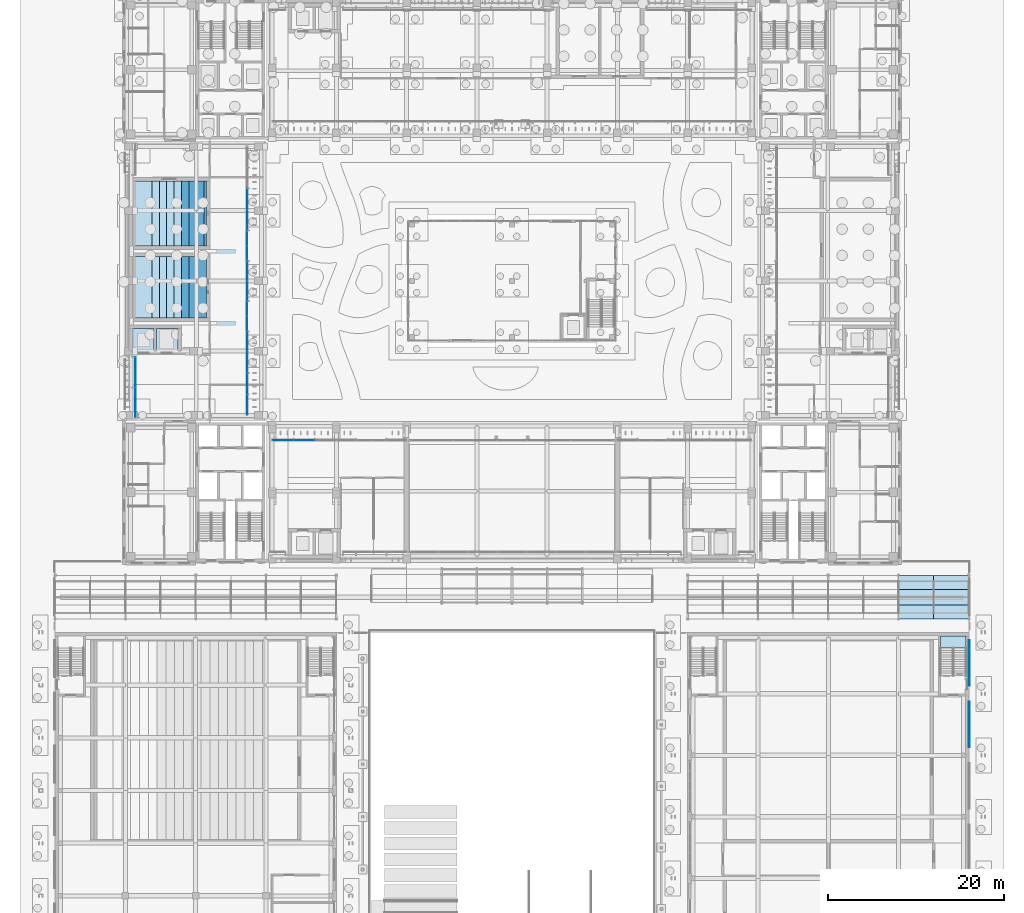
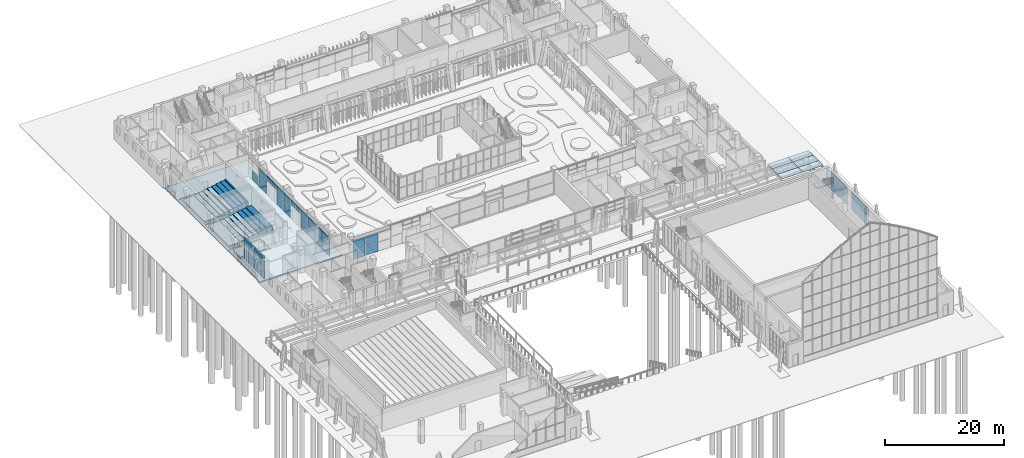
# One storey, part 95 of 144: 35 plates, 27 slabs, 8 elements without a shape of their own.
"""IFC4 building model written with IfcOpenShell, lengths in metres."""

from ifc_helpers import new_model, si_unit, direction, frame, origin, origin_2d, place, context, subcontext, project, spatial, polyline, rectangle, outline, extrude, material, layer, layer_set, type_object, element, aggregate, save


model = new_model("IFC4")

# Units and contexts
model_context = context("Model", 3, precision=1e-05, world=origin(), true_north=direction((0.0, 1.0)))
body_context = subcontext(model_context, "Body", "Model", "MODEL_VIEW")
ifc_project = project(units=[si_unit("LENGTHUNIT", "METRE"), si_unit("AREAUNIT", "SQUARE_METRE"), si_unit("VOLUMEUNIT", "CUBIC_METRE"), si_unit("PLANEANGLEUNIT", "RADIAN"), si_unit("MASSUNIT", "GRAM", prefix="KILO")], contexts=[model_context])

# Site, building, storey
site_placement = place(None, origin())
site = spatial("IfcSite", under=ifc_project, at=site_placement, CompositionType="ELEMENT")
building_placement = place(site_placement, origin())
building = spatial("IfcBuilding", under=site, at=building_placement, Name="Lantern Court Media Centre", CompositionType="ELEMENT")
storey_placement = place(building_placement, origin())
storey = spatial("IfcBuildingStorey", under=building, at=storey_placement, Name="L00", CompositionType="ELEMENT", Elevation=0.0)

# Slabs
ifc_material_1 = material(Name="Zinc standing seam on insulation")
ifc_layer_1 = layer(ifc_material_1, 0.080078125)
ifc_layer_set_1 = layer_set([ifc_layer_1], Name="Zinc standing seam on insulation")
slab_type_1 = type_object("IfcSlabType", Name="Cloister roof panel, standing seam 80", PredefinedType="ROOF", material=ifc_layer_set_1)
slab_1_placement = place(storey_placement, frame((96.00244140625, 41.5, 3.9599609375), z_axis=(0.0, 0.0, 1.0), x_axis=(1.0, 0.0, 0.0)))
element("IfcSlab", 1, at=slab_1_placement, inside=storey, type_object=slab_type_1, Name="Cloister roof panel", PredefinedType="ROOF", context=body_context, shape_type="SweptSolid", body=[
    extrude(outline(polyline([(0.0, 0.0), (3.9951171875, 0.0), (3.9951171875, 1.60009765625), (0.0, 1.60009765625), (0.0, 0.0)])), origin(), (0.0, 0.0, -1.0), 0.080078125),
])
slab_2_placement = place(storey_placement, frame((96.00244140625, 43.10009765625, 3.9599609375), z_axis=(0.0, 0.0, 1.0), x_axis=(1.0, 0.0, 0.0)))
element("IfcSlab", 2, at=slab_2_placement, inside=storey, type_object=slab_type_1, Name="Cloister roof panel", PredefinedType="ROOF", context=body_context, shape_type="SweptSolid", body=[
    extrude(outline(polyline([(0.0, 0.0), (3.9951171875, 0.0), (3.9951171875, 1.7998046875), (0.0, 1.7998046875), (0.0, 0.0)])), origin(), (0.0, 0.0, -1.0), 0.080078125),
])
for number, where, z_axis, x_axis, name in (
    (3, (96.00244140625, 44.89990234375, 3.9599609375), (0.0, 0.0, 1.0), (1.0, 0.0, 0.0), "Cloister roof panel"),
    (4, (100.00244140625, 41.5, 3.9599609375), (0.0, 0.0, 1.0), (1.0, 0.0, 0.0), "Cloister roof panel"),
):
    element("IfcSlab", number, at=place(storey_placement, frame(where, z_axis=z_axis, x_axis=x_axis)), inside=storey, type_object=slab_type_1, Name=name, PredefinedType="ROOF", context=body_context, shape_type="SweptSolid", body=[
        extrude(outline(polyline([(0.0, 0.0), (3.9951171875, 0.0), (3.9951171875, 1.60009765625), (0.0, 1.60009765625), (0.0, 0.0)])), origin(), (0.0, 0.0, -1.0), 0.080078125),
    ])
slab_3_placement = place(storey_placement, frame((100.00244140625, 43.10009765625, 3.9599609375), z_axis=(0.0, 0.0, 1.0), x_axis=(1.0, 0.0, 0.0)))
element("IfcSlab", 5, at=slab_3_placement, inside=storey, type_object=slab_type_1, Name="Cloister roof panel", PredefinedType="ROOF", context=body_context, shape_type="SweptSolid", body=[
    extrude(outline(polyline([(0.0, 0.0), (3.9951171875, 0.0), (3.9951171875, 1.7998046875), (0.0, 1.7998046875), (0.0, 0.0)])), origin(), (0.0, 0.0, -1.0), 0.080078125),
])
slab_4_placement = place(storey_placement, frame((100.00244140625, 44.89990234375, 3.9599609375), z_axis=(0.0, 0.0, 1.0), x_axis=(1.0, 0.0, 0.0)))
element("IfcSlab", 6, at=slab_4_placement, inside=storey, type_object=slab_type_1, Name="Cloister roof panel", PredefinedType="ROOF", context=body_context, shape_type="SweptSolid", body=[
    extrude(outline(polyline([(0.0, 0.0), (3.9951171875, 0.0), (3.9951171875, 1.60009765625), (0.0, 1.60009765625), (0.0, 0.0)])), origin(), (0.0, 0.0, -1.0), 0.080078125),
])

# Curtain wall, plates
ifc_material_2 = material(Name="Curtain wall bay 2400")
curtain_wall_type_1 = type_object("IfcCurtainWallType", Name="Curtain wall bay 2400", PredefinedType="NOTDEFINED", material=ifc_material_2)
curtain_wall_1_placement = place(storey_placement, origin())
curtain_wall_1 = element("IfcCurtainWall", 7, at=curtain_wall_1_placement, inside=storey, type_object=curtain_wall_type_1, Name="Curtain wall S inner L00", PredefinedType="NOTDEFINED")
ifc_material_3 = material(Name="Low-iron double glazed unit glass", Category="glass")
ifc_layer_2 = layer(ifc_material_3, 0.02392578125)
ifc_layer_set_2 = layer_set([ifc_layer_2], Name="Low-iron double glazed unit glass")
plate_type_1 = type_object("IfcPlateType", Name="Curtain wall glazing unit 24", PredefinedType="CURTAIN_PANEL", material=ifc_layer_set_2)
plate_1_placement = place(storey_placement, frame((25.92919921875, 61.85009765625, 0.050048828125), z_axis=(0.0, 0.0, 1.0), x_axis=(1.0, 0.0, 0.0)))
plate_1 = element("IfcPlate", 8, at=plate_1_placement, type_object=plate_type_1, Name="CW2 panel 1.1", PredefinedType="CURTAIN_PANEL", context=body_context, shape_type="SweptSolid", body=[
    extrude(rectangle(XDim=2.3583984375, YDim=0.02392578125, at=origin_2d()), origin(), (0.0, 0.0, 1.0), 1.89990234375),
])
plate_2_placement = place(storey_placement, frame((25.92919921875, 61.85009765625, 2.0), z_axis=(0.0, 0.0, 1.0), x_axis=(1.0, 0.0, 0.0)))
plate_2 = element("IfcPlate", 9, at=plate_2_placement, type_object=plate_type_1, Name="CW2 panel 1.2", PredefinedType="CURTAIN_PANEL", context=body_context, shape_type="SweptSolid", body=[
    extrude(rectangle(XDim=2.3583984375, YDim=0.02392578125, at=origin_2d()), origin(), (0.0, 0.0, 1.0), 1.89990234375),
])
plate_3_placement = place(storey_placement, frame((28.35009765625, 61.85009765625, 0.050048828125), z_axis=(0.0, 0.0, 1.0), x_axis=(1.0, 0.0, 0.0)))
plate_3 = element("IfcPlate", 10, at=plate_3_placement, type_object=plate_type_1, Name="CW2 panel 2.1", PredefinedType="CURTAIN_PANEL", context=body_context, shape_type="SweptSolid", body=[
    extrude(rectangle(XDim=2.38330078125, YDim=0.02392578125, at=origin_2d()), origin(), (0.0, 0.0, 1.0), 1.89990234375),
])
plate_4_placement = place(storey_placement, frame((28.35009765625, 61.85009765625, 2.0), z_axis=(0.0, 0.0, 1.0), x_axis=(1.0, 0.0, 0.0)))
plate_4 = element("IfcPlate", 11, at=plate_4_placement, type_object=plate_type_1, Name="CW2 panel 2.2", PredefinedType="CURTAIN_PANEL", context=body_context, shape_type="SweptSolid", body=[
    extrude(rectangle(XDim=2.38330078125, YDim=0.02392578125, at=origin_2d()), origin(), (0.0, 0.0, 1.0), 1.89990234375),
])
aggregate(curtain_wall_1, [plate_1, plate_2, plate_3, plate_4])

curtain_wall_2_placement = place(storey_placement, origin())
curtain_wall_2 = element("IfcCurtainWall", 12, at=curtain_wall_2_placement, inside=storey, type_object=curtain_wall_type_1, Name="Curtain wall W inner L00", PredefinedType="NOTDEFINED")
plate_5_placement = place(storey_placement, frame((21.85009765625, 65.91259765625, 0.050048828125), z_axis=(0.0, 0.0, 1.0), x_axis=(0.0, 1.0, 0.0)))
plate_5 = element("IfcPlate", 13, at=plate_5_placement, type_object=plate_type_1, Name="CW2 panel 1.1", PredefinedType="CURTAIN_PANEL", context=body_context, shape_type="SweptSolid", body=[
    extrude(rectangle(XDim=2.324951171875, YDim=0.02392578125, at=origin_2d()), origin(), (0.0, 0.0, 1.0), 1.89990234375),
])
plate_6_placement = place(storey_placement, frame((21.85009765625, 65.91259765625, 2.0), z_axis=(0.0, 0.0, 1.0), x_axis=(0.0, 1.0, 0.0)))
plate_6 = element("IfcPlate", 14, at=plate_6_placement, type_object=plate_type_1, Name="CW2 panel 1.2", PredefinedType="CURTAIN_PANEL", context=body_context, shape_type="SweptSolid", body=[
    extrude(rectangle(XDim=2.324951171875, YDim=0.02392578125, at=origin_2d()), origin(), (0.0, 0.0, 1.0), 1.89990234375),
])
plate_7_placement = place(storey_placement, frame((21.85009765625, 68.300048828125, 0.050048828125), z_axis=(0.0, 0.0, 1.0), x_axis=(0.0, 1.0, 0.0)))
plate_7 = element("IfcPlate", 15, at=plate_7_placement, type_object=plate_type_1, Name="CW2 panel 2.1", PredefinedType="CURTAIN_PANEL", context=body_context, shape_type="SweptSolid", body=[
    extrude(rectangle(XDim=2.35009765625, YDim=0.02392578125, at=origin_2d()), origin(), (0.0, 0.0, 1.0), 1.89990234375),
])
plate_8_placement = place(storey_placement, frame((21.85009765625, 68.300048828125, 2.0), z_axis=(0.0, 0.0, 1.0), x_axis=(0.0, 1.0, 0.0)))
plate_8 = element("IfcPlate", 16, at=plate_8_placement, type_object=plate_type_1, Name="CW2 panel 2.2", PredefinedType="CURTAIN_PANEL", context=body_context, shape_type="SweptSolid", body=[
    extrude(rectangle(XDim=2.35009765625, YDim=0.02392578125, at=origin_2d()), origin(), (0.0, 0.0, 1.0), 1.89990234375),
])
plate_9_placement = place(storey_placement, frame((21.85009765625, 70.699951171875, 0.050048828125), z_axis=(0.0, 0.0, 1.0), x_axis=(0.0, 1.0, 0.0)))
plate_9 = element("IfcPlate", 17, at=plate_9_placement, type_object=plate_type_1, Name="CW2 panel 3.1", PredefinedType="CURTAIN_PANEL", context=body_context, shape_type="SweptSolid", body=[
    extrude(rectangle(XDim=2.35009765625, YDim=0.02392578125, at=origin_2d()), origin(), (0.0, 0.0, 1.0), 1.89990234375),
])
plate_10_placement = place(storey_placement, frame((21.85009765625, 70.699951171875, 2.0), z_axis=(0.0, 0.0, 1.0), x_axis=(0.0, 1.0, 0.0)))
plate_10 = element("IfcPlate", 18, at=plate_10_placement, type_object=plate_type_1, Name="CW2 panel 3.2", PredefinedType="CURTAIN_PANEL", context=body_context, shape_type="SweptSolid", body=[
    extrude(rectangle(XDim=2.35009765625, YDim=0.02392578125, at=origin_2d()), origin(), (0.0, 0.0, 1.0), 1.89990234375),
])
plate_11_placement = place(storey_placement, frame((21.85009765625, 73.08740234375, 0.050048828125), z_axis=(0.0, 0.0, 1.0), x_axis=(0.0, 1.0, 0.0)))
plate_11 = element("IfcPlate", 19, at=plate_11_placement, type_object=plate_type_1, Name="CW2 panel 4.1", PredefinedType="CURTAIN_PANEL", context=body_context, shape_type="SweptSolid", body=[
    extrude(rectangle(XDim=2.324951171875, YDim=0.02392578125, at=origin_2d()), origin(), (0.0, 0.0, 1.0), 1.89990234375),
])
plate_12_placement = place(storey_placement, frame((21.85009765625, 73.08740234375, 2.0), z_axis=(0.0, 0.0, 1.0), x_axis=(0.0, 1.0, 0.0)))
plate_12 = element("IfcPlate", 20, at=plate_12_placement, type_object=plate_type_1, Name="CW2 panel 4.2", PredefinedType="CURTAIN_PANEL", context=body_context, shape_type="SweptSolid", body=[
    extrude(rectangle(XDim=2.324951171875, YDim=0.02392578125, at=origin_2d()), origin(), (0.0, 0.0, 1.0), 1.89990234375),
])
aggregate(curtain_wall_2, [plate_5, plate_6, plate_7, plate_8, plate_9, plate_10, plate_11, plate_12])

curtain_wall_3_placement = place(storey_placement, origin())
curtain_wall_3 = element("IfcCurtainWall", 21, at=curtain_wall_3_placement, inside=storey, type_object=curtain_wall_type_1, Name="Curtain wall W inner L00", PredefinedType="NOTDEFINED")
plate_13_placement = place(storey_placement, frame((21.85009765625, 78.862548828125, 0.050048828125), z_axis=(0.0, 0.0, 1.0), x_axis=(0.0, 1.0, 0.0)))
plate_13 = element("IfcPlate", 22, at=plate_13_placement, type_object=plate_type_1, Name="CW2 panel 1.1", PredefinedType="CURTAIN_PANEL", context=body_context, shape_type="SweptSolid", body=[
    extrude(rectangle(XDim=2.22509765625, YDim=0.02392578125, at=origin_2d()), origin(), (0.0, 0.0, 1.0), 1.89990234375),
])
plate_14_placement = place(storey_placement, frame((21.85009765625, 78.862548828125, 2.0), z_axis=(0.0, 0.0, 1.0), x_axis=(0.0, 1.0, 0.0)))
plate_14 = element("IfcPlate", 23, at=plate_14_placement, type_object=plate_type_1, Name="CW2 panel 1.2", PredefinedType="CURTAIN_PANEL", context=body_context, shape_type="SweptSolid", body=[
    extrude(rectangle(XDim=2.22509765625, YDim=0.02392578125, at=origin_2d()), origin(), (0.0, 0.0, 1.0), 1.89990234375),
])
plate_15_placement = place(storey_placement, frame((21.85009765625, 81.137451171875, 0.050048828125), z_axis=(0.0, 0.0, 1.0), x_axis=(0.0, 1.0, 0.0)))
plate_15 = element("IfcPlate", 24, at=plate_15_placement, type_object=plate_type_1, Name="CW2 panel 2.1", PredefinedType="CURTAIN_PANEL", context=body_context, shape_type="SweptSolid", body=[
    extrude(rectangle(XDim=2.22509765625, YDim=0.02392578125, at=origin_2d()), origin(), (0.0, 0.0, 1.0), 1.89990234375),
])
plate_16_placement = place(storey_placement, frame((21.85009765625, 81.137451171875, 2.0), z_axis=(0.0, 0.0, 1.0), x_axis=(0.0, 1.0, 0.0)))
plate_16 = element("IfcPlate", 25, at=plate_16_placement, type_object=plate_type_1, Name="CW2 panel 2.2", PredefinedType="CURTAIN_PANEL", context=body_context, shape_type="SweptSolid", body=[
    extrude(rectangle(XDim=2.22509765625, YDim=0.02392578125, at=origin_2d()), origin(), (0.0, 0.0, 1.0), 1.89990234375),
])
aggregate(curtain_wall_3, [plate_13, plate_14, plate_15, plate_16])

curtain_wall_4_placement = place(storey_placement, origin())
curtain_wall_4 = element("IfcCurtainWall", 26, at=curtain_wall_4_placement, inside=storey, type_object=curtain_wall_type_1, Name="Curtain wall W inner L00", PredefinedType="NOTDEFINED")
plate_17_placement = place(storey_placement, frame((21.85009765625, 86.91259765625, 0.050048828125), z_axis=(0.0, 0.0, 1.0), x_axis=(0.0, 1.0, 0.0)))
plate_17 = element("IfcPlate", 27, at=plate_17_placement, type_object=plate_type_1, Name="CW2 panel 1.1", PredefinedType="CURTAIN_PANEL", context=body_context, shape_type="SweptSolid", body=[
    extrude(rectangle(XDim=2.324951171875, YDim=0.02392578125, at=origin_2d()), origin(), (0.0, 0.0, 1.0), 1.89990234375),
])
plate_18_placement = place(storey_placement, frame((21.85009765625, 86.91259765625, 2.0), z_axis=(0.0, 0.0, 1.0), x_axis=(0.0, 1.0, 0.0)))
plate_18 = element("IfcPlate", 28, at=plate_18_placement, type_object=plate_type_1, Name="CW2 panel 1.2", PredefinedType="CURTAIN_PANEL", context=body_context, shape_type="SweptSolid", body=[
    extrude(rectangle(XDim=2.324951171875, YDim=0.02392578125, at=origin_2d()), origin(), (0.0, 0.0, 1.0), 1.89990234375),
])
plate_19_placement = place(storey_placement, frame((21.85009765625, 89.300048828125, 0.050048828125), z_axis=(0.0, 0.0, 1.0), x_axis=(0.0, 1.0, 0.0)))
plate_19 = element("IfcPlate", 29, at=plate_19_placement, type_object=plate_type_1, Name="CW2 panel 2.1", PredefinedType="CURTAIN_PANEL", context=body_context, shape_type="SweptSolid", body=[
    extrude(rectangle(XDim=2.35009765625, YDim=0.02392578125, at=origin_2d()), origin(), (0.0, 0.0, 1.0), 1.89990234375),
])
aggregate(curtain_wall_4, [plate_17, plate_18, plate_19])

ifc_material_4 = material(Name="Curtain wall bay 3000")
curtain_wall_type_2 = type_object("IfcCurtainWallType", Name="Curtain wall bay 3000", PredefinedType="NOTDEFINED", material=ifc_material_4)
curtain_wall_5_placement = place(storey_placement, origin())
curtain_wall_5 = element("IfcCurtainWall", 30, at=curtain_wall_5_placement, inside=storey, type_object=curtain_wall_type_2, Name="Curtain wall W outer L00", PredefinedType="NOTDEFINED")
ifc_layer_3 = layer(ifc_material_3, 0.028076171875)
ifc_layer_set_3 = layer_set([ifc_layer_3], Name="Low-iron double glazed unit glass")
plate_type_2 = type_object("IfcPlateType", Name="Curtain wall glazing unit 28", PredefinedType="CURTAIN_PANEL", material=ifc_layer_set_3)
plate_20_placement = place(storey_placement, frame((9.14990234375, 66.16748046875, 0.06005859375), z_axis=(0.0, 0.0, 1.0), x_axis=(0.0, 1.0, 0.0)))
plate_20 = element("IfcPlate", 31, at=plate_20_placement, type_object=plate_type_2, Name="CW1 panel 1.1", PredefinedType="CURTAIN_PANEL", context=body_context, shape_type="SweptSolid", body=[
    extrude(rectangle(XDim=3.375, YDim=0.028076171875, at=origin_2d()), origin(), (0.0, 0.0, 1.0), 2.199951171875),
])
plate_21_placement = place(storey_placement, frame((9.14990234375, 66.16748046875, 2.31982421875), z_axis=(0.0, 0.0, 1.0), x_axis=(0.0, 1.0, 0.0)))
plate_21 = element("IfcPlate", 32, at=plate_21_placement, type_object=plate_type_2, Name="CW1 panel 1.2", PredefinedType="CURTAIN_PANEL", context=body_context, shape_type="SweptSolid", body=[
    extrude(rectangle(XDim=3.375, YDim=0.028076171875, at=origin_2d()), origin(), (0.0, 0.0, 1.0), 2.199951171875),
])
plate_22_placement = place(storey_placement, frame((9.14990234375, 69.6025390625, 0.06005859375), z_axis=(0.0, 0.0, 1.0), x_axis=(0.0, 1.0, 0.0)))
plate_22 = element("IfcPlate", 33, at=plate_22_placement, type_object=plate_type_2, Name="CW1 panel 2.1", PredefinedType="CURTAIN_PANEL", context=body_context, shape_type="SweptSolid", body=[
    extrude(rectangle(XDim=3.375, YDim=0.028076171875, at=origin_2d()), origin(), (0.0, 0.0, 1.0), 2.199951171875),
])
plate_23_placement = place(storey_placement, frame((9.14990234375, 69.6025390625, 2.31982421875), z_axis=(0.0, 0.0, 1.0), x_axis=(0.0, 1.0, 0.0)))
plate_23 = element("IfcPlate", 34, at=plate_23_placement, type_object=plate_type_2, Name="CW1 panel 2.2", PredefinedType="CURTAIN_PANEL", context=body_context, shape_type="SweptSolid", body=[
    extrude(rectangle(XDim=3.375, YDim=0.028076171875, at=origin_2d()), origin(), (0.0, 0.0, 1.0), 2.199951171875),
])
aggregate(curtain_wall_5, [plate_20, plate_21, plate_22, plate_23])

ifc_material_5 = material(Name="Curtain wall bay 1700")
curtain_wall_type_3 = type_object("IfcCurtainWallType", Name="Curtain wall bay 1700", PredefinedType="NOTDEFINED", material=ifc_material_5)
curtain_wall_6_placement = place(storey_placement, origin())
curtain_wall_6 = element("IfcCurtainWall", 35, at=curtain_wall_6_placement, inside=storey, type_object=curtain_wall_type_3, Name="Curtain wall W inner L00", PredefinedType="NOTDEFINED")
plate_24_placement = place(storey_placement, frame((21.85009765625, 75.1650390625, 2.85986328125), z_axis=(0.0, 0.0, 1.0), x_axis=(0.0, 1.0, 0.0)))
plate_24 = element("IfcPlate", 36, at=plate_24_placement, type_object=plate_type_2, Name="CW4 panel 1.1", PredefinedType="CURTAIN_PANEL", context=body_context, shape_type="SweptSolid", body=[
    extrude(rectangle(XDim=1.610107421875, YDim=0.028076171875, at=origin_2d()), origin(), (0.0, 0.0, 1.0), 0.485107421875),
])
plate_25_placement = place(storey_placement, frame((21.85009765625, 75.1650390625, 3.40478515625), z_axis=(0.0, 0.0, 1.0), x_axis=(0.0, 1.0, 0.0)))
plate_25 = element("IfcPlate", 37, at=plate_25_placement, type_object=plate_type_2, Name="CW4 panel 1.2", PredefinedType="CURTAIN_PANEL", context=body_context, shape_type="SweptSolid", body=[
    extrude(rectangle(XDim=1.610107421875, YDim=0.028076171875, at=origin_2d()), origin(), (0.0, 0.0, 1.0), 0.485107421875),
])
plate_26_placement = place(storey_placement, frame((21.85009765625, 76.8349609375, 2.85986328125), z_axis=(0.0, 0.0, 1.0), x_axis=(0.0, 1.0, 0.0)))
plate_26 = element("IfcPlate", 38, at=plate_26_placement, type_object=plate_type_2, Name="CW4 panel 2.1", PredefinedType="CURTAIN_PANEL", context=body_context, shape_type="SweptSolid", body=[
    extrude(rectangle(XDim=1.610107421875, YDim=0.028076171875, at=origin_2d()), origin(), (0.0, 0.0, 1.0), 0.485107421875),
])
plate_27_placement = place(storey_placement, frame((21.85009765625, 76.8349609375, 3.40478515625), z_axis=(0.0, 0.0, 1.0), x_axis=(0.0, 1.0, 0.0)))
plate_27 = element("IfcPlate", 39, at=plate_27_placement, type_object=plate_type_2, Name="CW4 panel 2.2", PredefinedType="CURTAIN_PANEL", context=body_context, shape_type="SweptSolid", body=[
    extrude(rectangle(XDim=1.610107421875, YDim=0.028076171875, at=origin_2d()), origin(), (0.0, 0.0, 1.0), 0.485107421875),
])
aggregate(curtain_wall_6, [plate_24, plate_25, plate_26, plate_27])

curtain_wall_7_placement = place(storey_placement, origin())
curtain_wall_7 = element("IfcCurtainWall", 40, at=curtain_wall_7_placement, inside=storey, type_object=curtain_wall_type_3, Name="Curtain wall W inner L00", PredefinedType="NOTDEFINED")
plate_28_placement = place(storey_placement, frame((21.85009765625, 83.1650390625, 2.85986328125), z_axis=(0.0, 0.0, 1.0), x_axis=(0.0, 1.0, 0.0)))
plate_28 = element("IfcPlate", 41, at=plate_28_placement, type_object=plate_type_2, Name="CW4 panel 1.1", PredefinedType="CURTAIN_PANEL", context=body_context, shape_type="SweptSolid", body=[
    extrude(rectangle(XDim=1.610107421875, YDim=0.028076171875, at=origin_2d()), origin(), (0.0, 0.0, 1.0), 0.485107421875),
])
plate_29_placement = place(storey_placement, frame((21.85009765625, 83.1650390625, 3.40478515625), z_axis=(0.0, 0.0, 1.0), x_axis=(0.0, 1.0, 0.0)))
plate_29 = element("IfcPlate", 42, at=plate_29_placement, type_object=plate_type_2, Name="CW4 panel 1.2", PredefinedType="CURTAIN_PANEL", context=body_context, shape_type="SweptSolid", body=[
    extrude(rectangle(XDim=1.610107421875, YDim=0.028076171875, at=origin_2d()), origin(), (0.0, 0.0, 1.0), 0.485107421875),
])
plate_30_placement = place(storey_placement, frame((21.85009765625, 84.8349609375, 2.85986328125), z_axis=(0.0, 0.0, 1.0), x_axis=(0.0, 1.0, 0.0)))
plate_30 = element("IfcPlate", 43, at=plate_30_placement, type_object=plate_type_2, Name="CW4 panel 2.1", PredefinedType="CURTAIN_PANEL", context=body_context, shape_type="SweptSolid", body=[
    extrude(rectangle(XDim=1.610107421875, YDim=0.028076171875, at=origin_2d()), origin(), (0.0, 0.0, 1.0), 0.485107421875),
])
plate_31_placement = place(storey_placement, frame((21.85009765625, 84.8349609375, 3.40478515625), z_axis=(0.0, 0.0, 1.0), x_axis=(0.0, 1.0, 0.0)))
plate_31 = element("IfcPlate", 44, at=plate_31_placement, type_object=plate_type_2, Name="CW4 panel 2.2", PredefinedType="CURTAIN_PANEL", context=body_context, shape_type="SweptSolid", body=[
    extrude(rectangle(XDim=1.610107421875, YDim=0.028076171875, at=origin_2d()), origin(), (0.0, 0.0, 1.0), 0.485107421875),
])
aggregate(curtain_wall_7, [plate_28, plate_29, plate_30, plate_31])

# Slabs
ifc_material_6 = material(Name="Concrete C35", Category="concrete")
ifc_layer_4 = layer(ifc_material_6, 0.25)
ifc_layer_set_4 = layer_set([ifc_layer_4], Name="Concrete C35")
slab_type_2 = type_object("IfcSlabType", Name="RC GROUND SLAB 250", PredefinedType="BASESLAB", material=ifc_layer_set_4)
slab_5_placement = place(storey_placement, frame((0.0, 0.0, -0.25)))
element("IfcSlab", 45, at=slab_5_placement, inside=storey, type_object=slab_type_2, Name="SL-W-L00", PredefinedType="BASESLAB", context=body_context, shape_type="SweptSolid", body=[
    extrude(outline(polyline([(8.0, 64.10009765625), (8.0, 95.89990234375), (24.0, 95.89990234375), (24.0, 64.10009765625), (8.0, 64.10009765625)]), holes=[polyline([(8.39990234375, 71.60009765625), (14.39990234375, 71.60009765625), (14.39990234375, 72.0), (14.39990234375, 74.60009765625), (14.39990234375, 75.0), (8.39990234375, 75.0), (8.39990234375, 74.60009765625), (8.39990234375, 72.0), (8.39990234375, 71.60009765625)]), polyline([(8.39990234375, 82.800048828125), (8.39990234375, 75.800048828125), (8.39990234375, 75.39990234375), (17.60009765625, 75.39990234375), (17.60009765625, 75.800048828125), (17.60009765625, 82.800048828125), (17.60009765625, 83.199951171875), (8.39990234375, 83.199951171875), (8.39990234375, 82.800048828125)]), polyline([(8.39990234375, 84.0), (8.39990234375, 83.60009765625), (17.60009765625, 83.60009765625), (17.60009765625, 84.0), (17.60009765625, 91.39990234375), (17.60009765625, 91.800048828125), (8.39990234375, 91.800048828125), (8.39990234375, 91.39990234375), (8.39990234375, 84.0)])]), origin(), (0.0, 0.0, 1.0), 0.25),
])
slab_6_placement = place(storey_placement, frame((0.0, 0.0, -0.25)))
element("IfcSlab", 46, at=slab_6_placement, inside=storey, type_object=slab_type_2, Name="SL-W-L00-2", PredefinedType="BASESLAB", context=body_context, shape_type="SweptSolid", body=[
    extrude(outline(polyline([(11.25, 74.60009765625), (11.25, 72.0), (8.800048828125, 72.0), (8.800048828125, 74.60009765625), (11.25, 74.60009765625)])), origin(), (0.0, 0.0, 1.0), 0.25),
])
slab_7_placement = place(storey_placement, frame((0.0, 0.0, -0.25)))
element("IfcSlab", 47, at=slab_7_placement, inside=storey, type_object=slab_type_2, Name="SL-W-L00-3", PredefinedType="BASESLAB", context=body_context, shape_type="SweptSolid", body=[
    extrude(outline(polyline([(14.0, 74.60009765625), (14.0, 72.0), (11.550048828125, 72.0), (11.550048828125, 74.60009765625), (14.0, 74.60009765625)])), origin(), (0.0, 0.0, 1.0), 0.25),
])
slab_8_placement = place(storey_placement, frame((0.0, 0.0, -0.25)))
element("IfcSlab", 48, at=slab_8_placement, inside=storey, type_object=slab_type_2, Name="SL-W-L00-4", PredefinedType="BASESLAB", context=body_context, shape_type="SweptSolid", body=[
    extrude(outline(polyline([(8.800048828125, 82.800048828125), (17.199951171875, 82.800048828125), (17.199951171875, 75.800048828125), (8.800048828125, 75.800048828125), (8.800048828125, 82.800048828125)])), origin(), (0.0, 0.0, 1.0), 0.25),
])
slab_9_placement = place(storey_placement, frame((0.0, 0.0, -0.25)))
element("IfcSlab", 49, at=slab_9_placement, inside=storey, type_object=slab_type_2, Name="SL-W-L00-5", PredefinedType="BASESLAB", context=body_context, shape_type="SweptSolid", body=[
    extrude(outline(polyline([(17.199951171875, 84.0), (8.800048828125, 84.0), (8.800048828125, 91.39990234375), (17.199951171875, 91.39990234375), (17.199951171875, 84.0)])), origin(), (0.0, 0.0, 1.0), 0.25),
])
ifc_layer_5 = layer(ifc_material_6, 0.14990234375)
ifc_layer_set_5 = layer_set([ifc_layer_5], Name="Concrete C35")
slab_type_3 = type_object("IfcSlabType", Name="Seating tier", PredefinedType="USERDEFINED", material=ifc_layer_set_5)
slab_10_placement = place(storey_placement, origin())
element("IfcSlab", 50, at=slab_10_placement, inside=storey, type_object=slab_type_3, Name="Screen 3 tier 1", ObjectType="SEATING TIER", PredefinedType="USERDEFINED", context=body_context, shape_type="SweptSolid", body=[
    extrude(outline(polyline([(11.0, 75.800048828125), (11.85009765625, 75.800048828125), (11.85009765625, 82.800048828125), (11.0, 82.800048828125), (11.0, 75.800048828125)])), origin(), (0.0, 0.0, 1.0), 0.159912109375),
])
slab_11_placement = place(storey_placement, origin())
element("IfcSlab", 51, at=slab_11_placement, inside=storey, type_object=slab_type_3, Name="Screen 3 tier 2", ObjectType="SEATING TIER", PredefinedType="USERDEFINED", context=body_context, shape_type="SweptSolid", body=[
    extrude(outline(polyline([(11.85009765625, 75.800048828125), (12.699951171875, 75.800048828125), (12.699951171875, 82.800048828125), (11.85009765625, 82.800048828125), (11.85009765625, 75.800048828125)])), origin(), (0.0, 0.0, 1.0), 0.320068359375),
])
slab_12_placement = place(storey_placement, origin())
element("IfcSlab", 52, at=slab_12_placement, inside=storey, type_object=slab_type_3, Name="Screen 3 tier 3", ObjectType="SEATING TIER", PredefinedType="USERDEFINED", context=body_context, shape_type="SweptSolid", body=[
    extrude(outline(polyline([(12.699951171875, 75.800048828125), (13.550048828125, 75.800048828125), (13.550048828125, 82.800048828125), (12.699951171875, 82.800048828125), (12.699951171875, 75.800048828125)])), origin(), (0.0, 0.0, 1.0), 0.47998046875),
])
slab_13_placement = place(storey_placement, origin())
element("IfcSlab", 53, at=slab_13_placement, inside=storey, type_object=slab_type_3, Name="Screen 3 tier 4", ObjectType="SEATING TIER", PredefinedType="USERDEFINED", context=body_context, shape_type="SweptSolid", body=[
    extrude(outline(polyline([(13.550048828125, 75.800048828125), (14.39990234375, 75.800048828125), (14.39990234375, 82.800048828125), (13.550048828125, 82.800048828125), (13.550048828125, 75.800048828125)])), origin(), (0.0, 0.0, 1.0), 0.639892578125),
])
slab_14_placement = place(storey_placement, origin())
element("IfcSlab", 54, at=slab_14_placement, inside=storey, type_object=slab_type_3, Name="Screen 3 tier 5", ObjectType="SEATING TIER", PredefinedType="USERDEFINED", context=body_context, shape_type="SweptSolid", body=[
    extrude(outline(polyline([(14.39990234375, 75.800048828125), (15.25, 75.800048828125), (15.25, 82.800048828125), (14.39990234375, 82.800048828125), (14.39990234375, 75.800048828125)])), origin(), (0.0, 0.0, 1.0), 0.800048828125),
])
slab_15_placement = place(storey_placement, origin())
element("IfcSlab", 55, at=slab_15_placement, inside=storey, type_object=slab_type_3, Name="Screen 3 tier 6", ObjectType="SEATING TIER", PredefinedType="USERDEFINED", context=body_context, shape_type="SweptSolid", body=[
    extrude(outline(polyline([(15.25, 75.800048828125), (16.10009765625, 75.800048828125), (16.10009765625, 82.800048828125), (15.25, 82.800048828125), (15.25, 75.800048828125)])), origin(), (0.0, 0.0, 1.0), 0.9599609375),
])
slab_16_placement = place(storey_placement, origin())
element("IfcSlab", 56, at=slab_16_placement, inside=storey, type_object=slab_type_3, Name="Screen 3 tier 7", ObjectType="SEATING TIER", PredefinedType="USERDEFINED", context=body_context, shape_type="SweptSolid", body=[
    extrude(outline(polyline([(16.10009765625, 75.800048828125), (17.199951171875, 75.800048828125), (17.199951171875, 82.800048828125), (16.10009765625, 82.800048828125), (16.10009765625, 75.800048828125)])), origin(), (0.0, 0.0, 1.0), 1.1201171875),
])
slab_17_placement = place(storey_placement, origin())
element("IfcSlab", 57, at=slab_17_placement, inside=storey, type_object=slab_type_3, Name="Screen 4 tier 1", ObjectType="SEATING TIER", PredefinedType="USERDEFINED", context=body_context, shape_type="SweptSolid", body=[
    extrude(outline(polyline([(11.0, 84.0), (11.85009765625, 84.0), (11.85009765625, 91.39990234375), (11.0, 91.39990234375), (11.0, 84.0)])), origin(), (0.0, 0.0, 1.0), 0.159912109375),
])
slab_18_placement = place(storey_placement, origin())
element("IfcSlab", 58, at=slab_18_placement, inside=storey, type_object=slab_type_3, Name="Screen 4 tier 2", ObjectType="SEATING TIER", PredefinedType="USERDEFINED", context=body_context, shape_type="SweptSolid", body=[
    extrude(outline(polyline([(11.85009765625, 84.0), (12.699951171875, 84.0), (12.699951171875, 91.39990234375), (11.85009765625, 91.39990234375), (11.85009765625, 84.0)])), origin(), (0.0, 0.0, 1.0), 0.320068359375),
])
slab_19_placement = place(storey_placement, origin())
element("IfcSlab", 59, at=slab_19_placement, inside=storey, type_object=slab_type_3, Name="Screen 4 tier 3", ObjectType="SEATING TIER", PredefinedType="USERDEFINED", context=body_context, shape_type="SweptSolid", body=[
    extrude(outline(polyline([(12.699951171875, 84.0), (13.550048828125, 84.0), (13.550048828125, 91.39990234375), (12.699951171875, 91.39990234375), (12.699951171875, 84.0)])), origin(), (0.0, 0.0, 1.0), 0.47998046875),
])
slab_20_placement = place(storey_placement, origin())
element("IfcSlab", 60, at=slab_20_placement, inside=storey, type_object=slab_type_3, Name="Screen 4 tier 4", ObjectType="SEATING TIER", PredefinedType="USERDEFINED", context=body_context, shape_type="SweptSolid", body=[
    extrude(outline(polyline([(13.550048828125, 84.0), (14.39990234375, 84.0), (14.39990234375, 91.39990234375), (13.550048828125, 91.39990234375), (13.550048828125, 84.0)])), origin(), (0.0, 0.0, 1.0), 0.639892578125),
])
slab_21_placement = place(storey_placement, origin())
element("IfcSlab", 61, at=slab_21_placement, inside=storey, type_object=slab_type_3, Name="Screen 4 tier 5", ObjectType="SEATING TIER", PredefinedType="USERDEFINED", context=body_context, shape_type="SweptSolid", body=[
    extrude(outline(polyline([(14.39990234375, 84.0), (15.25, 84.0), (15.25, 91.39990234375), (14.39990234375, 91.39990234375), (14.39990234375, 84.0)])), origin(), (0.0, 0.0, 1.0), 0.800048828125),
])
slab_22_placement = place(storey_placement, origin())
element("IfcSlab", 62, at=slab_22_placement, inside=storey, type_object=slab_type_3, Name="Screen 4 tier 6", ObjectType="SEATING TIER", PredefinedType="USERDEFINED", context=body_context, shape_type="SweptSolid", body=[
    extrude(outline(polyline([(15.25, 84.0), (16.10009765625, 84.0), (16.10009765625, 91.39990234375), (15.25, 91.39990234375), (15.25, 84.0)])), origin(), (0.0, 0.0, 1.0), 0.9599609375),
])
slab_23_placement = place(storey_placement, origin())
element("IfcSlab", 63, at=slab_23_placement, inside=storey, type_object=slab_type_3, Name="Screen 4 tier 7", ObjectType="SEATING TIER", PredefinedType="USERDEFINED", context=body_context, shape_type="SweptSolid", body=[
    extrude(outline(polyline([(16.10009765625, 84.0), (16.949951171875, 84.0), (16.949951171875, 91.39990234375), (16.10009765625, 91.39990234375), (16.10009765625, 84.0)])), origin(), (0.0, 0.0, 1.0), 1.1201171875),
])
slab_24_placement = place(storey_placement, origin())
element("IfcSlab", 64, at=slab_24_placement, inside=storey, type_object=slab_type_3, Name="Screen 4 tier 8", ObjectType="SEATING TIER", PredefinedType="USERDEFINED", context=body_context, shape_type="SweptSolid", body=[
    extrude(outline(polyline([(16.949951171875, 84.0), (17.199951171875, 84.0), (17.199951171875, 91.39990234375), (16.949951171875, 91.39990234375), (16.949951171875, 84.0)])), origin(), (0.0, 0.0, 1.0), 1.280029296875),
])

# Stair, slab
ifc_material_7 = material(Name="Concrete C40", Category="concrete")
stair_type = type_object("IfcStairType", Name="Exit stair 1350", PredefinedType="HALF_TURN_STAIR", material=ifc_material_7)
stair_placement = place(storey_placement, origin())
stair = element("IfcStair", 65, at=stair_placement, inside=storey, type_object=stair_type, Name="L00 V2-ST-E exit stair", PredefinedType="HALF_TURN_STAIR")
ifc_layer_6 = layer(ifc_material_7, 0.199951171875)
ifc_layer_set_6 = layer_set([ifc_layer_6], Name="Concrete C40")
slab_type_4 = type_object("IfcSlabType", Name="Stair landing RC 200", PredefinedType="LANDING", material=ifc_layer_set_6)
slab_25_placement = place(storey_placement, frame((0.0, 0.0, 2.199951171875)))
slab_25 = element("IfcSlab", 66, at=slab_25_placement, type_object=slab_type_4, Name="ST-V2-ST-E landing 1", PredefinedType="LANDING", context=body_context, shape_type="SweptSolid", body=[
    extrude(outline(polyline([(103.64990234375, 38.219970703125), (103.64990234375, 39.60009765625), (100.800048828125, 39.60009765625), (100.800048828125, 38.219970703125), (103.64990234375, 38.219970703125)])), origin(), (0.0, 0.0, 1.0), 0.199951171875),
])
aggregate(stair, [slab_25])

# Plates
ifc_material_8 = material(Name="Limestone cladding", Category="masonry")
ifc_layer_7 = layer(ifc_material_8, 0.080078125)
ifc_layer_set_7 = layer_set([ifc_layer_7], Name="Limestone cladding")
plate_type_3 = type_object("IfcPlateType", Name="Stone relief panel", PredefinedType="SHEET", material=ifc_layer_set_7)
plate_32_placement = place(storey_placement, frame((104.0400390625, 29.5, 0.5), z_axis=(0.0, 0.0, 1.0), x_axis=(1.0, 0.0, 0.0)))
element("IfcPlate", 67, at=plate_32_placement, inside=storey, type_object=plate_type_3, Name="Studio Hall street face relief panel", PredefinedType="SHEET", context=body_context, shape_type="SweptSolid", body=[
    extrude(rectangle(XDim=0.080078125, YDim=5.199951171875, at=origin_2d()), origin(), (0.0, 0.0, 1.0), 2.0),
])
plate_33_placement = place(storey_placement, frame((104.0400390625, 29.5, 2.699951171875), z_axis=(0.0, 0.0, 1.0), x_axis=(1.0, 0.0, 0.0)))
element("IfcPlate", 68, at=plate_33_placement, inside=storey, type_object=plate_type_3, Name="Studio Hall street face relief panel", PredefinedType="SHEET", context=body_context, shape_type="SweptSolid", body=[
    extrude(rectangle(XDim=0.080078125, YDim=5.199951171875, at=origin_2d()), origin(), (0.0, 0.0, 1.0), 1.60009765625),
])
plate_34_placement = place(storey_placement, frame((104.0400390625, 36.5, 0.5), z_axis=(0.0, 0.0, 1.0), x_axis=(1.0, 0.0, 0.0)))
element("IfcPlate", 69, at=plate_34_placement, inside=storey, type_object=plate_type_3, Name="Studio Hall street face relief panel", PredefinedType="SHEET", context=body_context, shape_type="SweptSolid", body=[
    extrude(rectangle(XDim=0.080078125, YDim=5.199951171875, at=origin_2d()), origin(), (0.0, 0.0, 1.0), 2.0),
])
plate_35_placement = place(storey_placement, frame((104.0400390625, 36.5, 2.699951171875), z_axis=(0.0, 0.0, 1.0), x_axis=(1.0, 0.0, 0.0)))
element("IfcPlate", 70, at=plate_35_placement, inside=storey, type_object=plate_type_3, Name="Studio Hall street face relief panel", PredefinedType="SHEET", context=body_context, shape_type="SweptSolid", body=[
    extrude(rectangle(XDim=0.080078125, YDim=5.199951171875, at=origin_2d()), origin(), (0.0, 0.0, 1.0), 1.60009765625),
])

save(model, "model.ifc")
